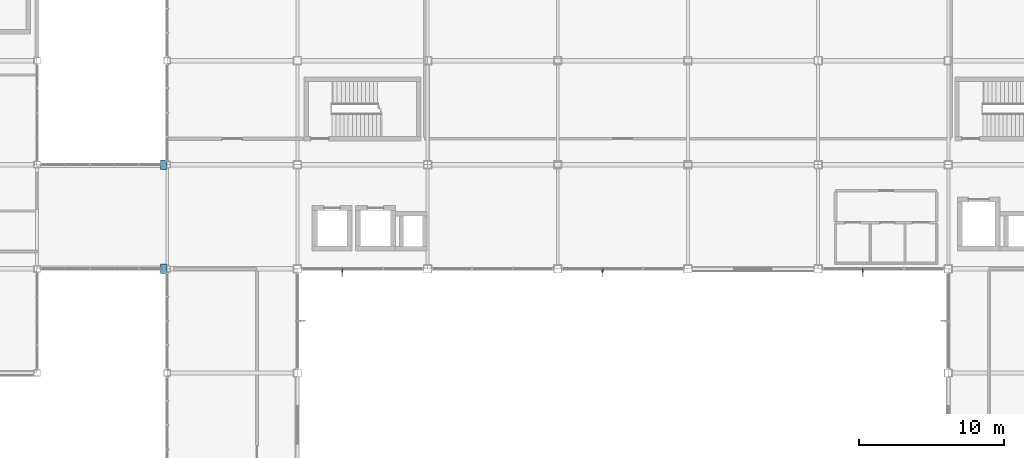
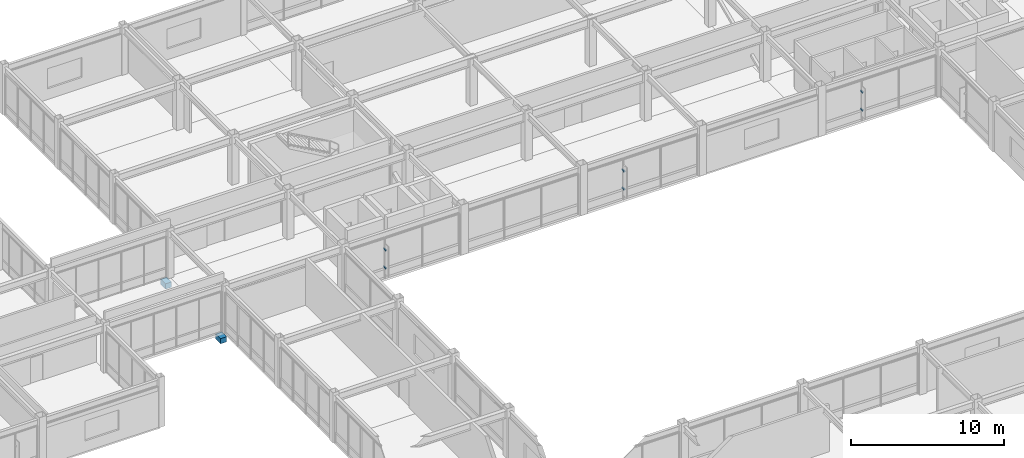
# One storey, part 113 of 122: 8 discrete accessories.
"""IFC4 building model written with IfcOpenShell, lengths in metres."""

from ifc_helpers import new_model, si_unit, direction, frame, origin, origin_2d, place, context, subcontext, project, spatial, rectangle, extrude, material, type_object, element, save


model = new_model("IFC4")

# Units and contexts
model_context = context("Model", 3, precision=1e-05, world=origin(), true_north=direction((0.0, 1.0)))
body_context = subcontext(model_context, "Body", "Model", "MODEL_VIEW")
ifc_project = project(units=[si_unit("LENGTHUNIT", "METRE"), si_unit("AREAUNIT", "SQUARE_METRE"), si_unit("VOLUMEUNIT", "CUBIC_METRE"), si_unit("PLANEANGLEUNIT", "RADIAN"), si_unit("MASSUNIT", "GRAM", prefix="KILO")], contexts=[model_context])

# Site, building, storey
site_placement = place(None, origin())
site = spatial("IfcSite", under=ifc_project, at=site_placement, CompositionType="ELEMENT")
building_placement = place(site_placement, origin())
building = spatial("IfcBuilding", under=site, at=building_placement, Name="Kazanami Central Library", CompositionType="ELEMENT")
storey_placement = place(building_placement, frame((0.0, 0.0, 4.800048828125)))
storey = spatial("IfcBuildingStorey", under=building, at=storey_placement, Name="L02", CompositionType="ELEMENT", Elevation=4.800048828125)

# Discrete accessories
ifc_material = material(Name="Stainless Steel SUS304", Category="steel")
discrete_accessory_type_1 = type_object("IfcDiscreteAccessoryType", Name="ACC-BRK-1", PredefinedType="BRACKET", material=ifc_material)
for number, where, z_axis, x_axis, name in (
    (1, (57.091552734375, 64.7099609375, 0.867431640625), (0.0, 0.0, 1.0), (1.0, 0.0, 0.0), "Solar Fin Outrigger Bracket L02 S-K-06.1.1"),
    (2, (57.091552734375, 64.7099609375, 2.307373046875), (0.0, 0.0, 1.0), (1.0, 0.0, 0.0), "Solar Fin Outrigger Bracket L02 S-K-06.1.2"),
    (3, (75.091552734375, 64.7099609375, 0.867431640625), (0.0, 0.0, 1.0), (1.0, 0.0, 0.0), "Solar Fin Outrigger Bracket L02 S-K-08.1.1"),
    (4, (75.091552734375, 64.7099609375, 2.307373046875), (0.0, 0.0, 1.0), (1.0, 0.0, 0.0), "Solar Fin Outrigger Bracket L02 S-K-08.1.2"),
    (5, (93.091552734375, 64.7099609375, 0.867431640625), (0.0, 0.0, 1.0), (1.0, 0.0, 0.0), "Solar Fin Outrigger Bracket L02 S-K-10.1.1"),
    (6, (93.091552734375, 64.7099609375, 2.307373046875), (0.0, 0.0, 1.0), (1.0, 0.0, 0.0), "Solar Fin Outrigger Bracket L02 S-K-10.1.2"),
):
    element("IfcDiscreteAccessory", number, at=place(storey_placement, frame(where, z_axis=z_axis, x_axis=x_axis)), inside=storey, type_object=discrete_accessory_type_1, Name=name, PredefinedType="BRACKET", context=body_context, shape_type="SweptSolid", body=[
        extrude(rectangle(XDim=0.080078125, YDim=0.280029296875, at=origin_2d()), origin(), (0.0, 0.0, 1.0), 0.080078125),
    ])
discrete_accessory_type_2 = type_object("IfcDiscreteAccessoryType", Name="ACC-CRB-460", PredefinedType="BRACKET", material=ifc_material)
for number, where, z_axis, x_axis, name in (
    (7, (44.77001953125, 64.800048828125, -0.6650390625), (0.0, 0.0, 1.0), (1.0, 0.0, 0.0), "Link Bridge Corbel Seat and Elastomeric Sliding Bearing L02 WN-1"),
    (8, (44.77001953125, 72.0, -0.6650390625), (0.0, 0.0, 1.0), (1.0, 0.0, 0.0), "Link Bridge Corbel Seat and Elastomeric Sliding Bearing L02 WN-2"),
):
    element("IfcDiscreteAccessory", number, at=place(storey_placement, frame(where, z_axis=z_axis, x_axis=x_axis)), inside=storey, type_object=discrete_accessory_type_2, Name=name, PredefinedType="BRACKET", context=body_context, shape_type="SweptSolid", body=[
        extrude(rectangle(XDim=0.4599609375, YDim=0.64990234375, at=origin_2d()), origin(), (0.0, 0.0, 1.0), 0.419921875),
    ])

save(model, "model.ifc")
